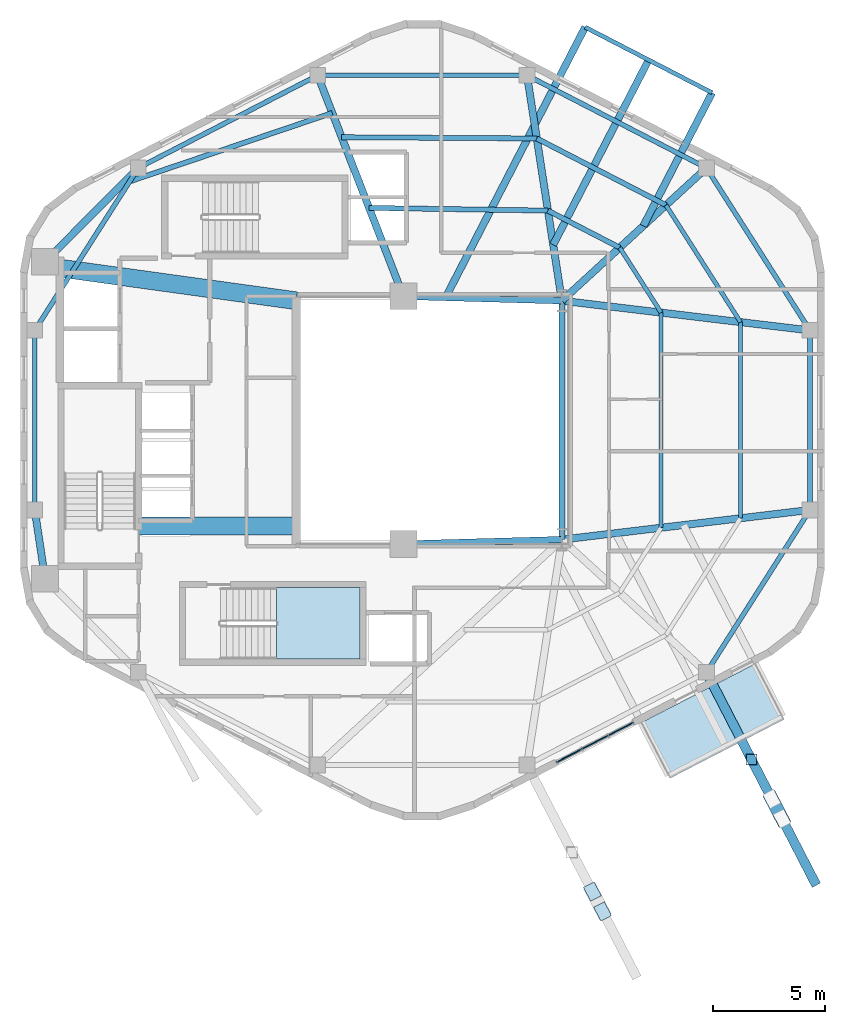
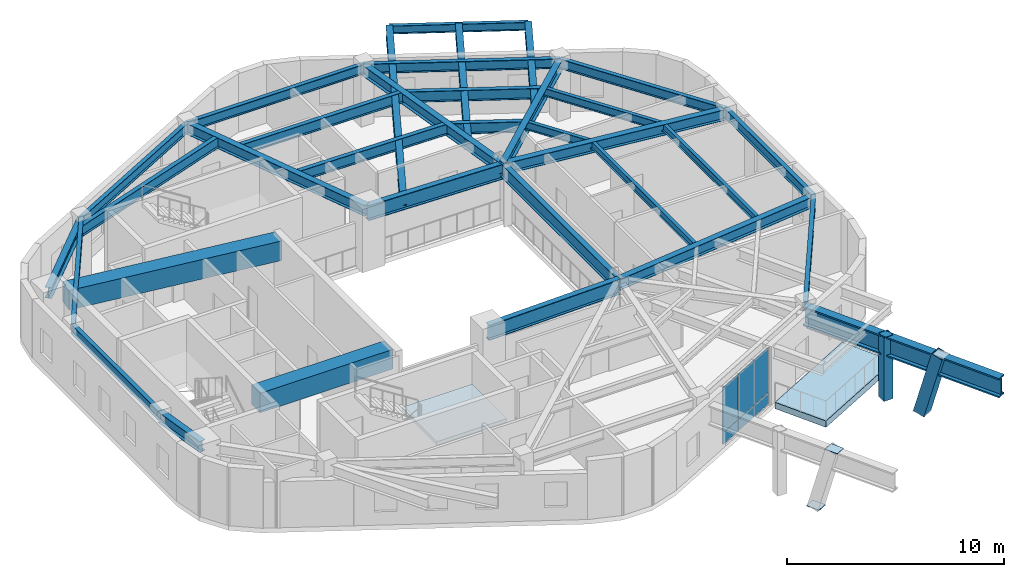
# One storey, part 5 of 10: 34 beams, 8 plates, 2 members, 2 slabs, 2 elements without a shape of their own.
"""IFC4 building model written with IfcOpenShell, lengths in metres."""

from ifc_helpers import new_model, si_unit, direction, frame, origin, origin_2d, place, context, subcontext, project, spatial, polyline, rectangle, hollow_rectangle, i_section, outline, extrude, material, layer, layer_set, material_profile, profile_set, type_object, element, aggregate, save


model = new_model("IFC4")

# Units and contexts
model_context = context("Model", 3, precision=1e-05, world=origin(), true_north=direction((0.0, 1.0)))
body_context = subcontext(model_context, "Body", "Model", "MODEL_VIEW")
ifc_project = project(units=[si_unit("LENGTHUNIT", "METRE"), si_unit("AREAUNIT", "SQUARE_METRE"), si_unit("VOLUMEUNIT", "CUBIC_METRE"), si_unit("PLANEANGLEUNIT", "RADIAN"), si_unit("MASSUNIT", "GRAM", prefix="KILO"), si_unit("THERMODYNAMICTEMPERATUREUNIT", "KELVIN"), si_unit("POWERUNIT", "WATT")], contexts=[model_context])

# Site, building, storey
site_placement = place(None, origin())
site = spatial("IfcSite", under=ifc_project, at=site_placement, CompositionType="ELEMENT")
building_placement = place(site_placement, origin())
building = spatial("IfcBuilding", under=site, at=building_placement, Name="Skarre Station Tower", CompositionType="ELEMENT")
storey_placement = place(building_placement, frame((0.0, 0.0, 224.14990234375)))
storey = spatial("IfcBuildingStorey", under=building, at=storey_placement, Name="L61", CompositionType="ELEMENT", Elevation=224.14990234375)

# Beams
ifc_material_1 = material(Name="Concrete C70/85", Category="concrete")
ifc_material_profile_1 = material_profile(ifc_material_1, rectangle(XDim=0.800048828125, YDim=1.10009765625, at=origin_2d()), Name="Concrete C70/85")
ifc_profile_set_1 = profile_set([ifc_material_profile_1], Name="Concrete C70/85")
beam_type_1 = type_object("IfcBeamType", Name="RC Core Coupling Lintel 800x1100", PredefinedType="LINTEL", material=ifc_profile_set_1)
beam_1_placement = place(storey_placement, frame((20.489990234375, 19.260009765625, 2.739990234375), z_axis=(1.0, 0.0, 0.0), x_axis=(0.0, 1.0, 0.0)))
element("IfcBeam", 1, at=beam_1_placement, inside=storey, type_object=beam_type_1, Name="L61 South Core Coupling Lintel", PredefinedType="LINTEL", context=body_context, shape_type="SweptSolid", body=[
    extrude(rectangle(XDim=0.800048828125, YDim=1.10009765625, at=origin_2d()), origin(), (0.0, 0.0, 1.0), 7.06005859375),
])
beam_2_placement = place(storey_placement, frame((17.050048828125, 30.800048828125, 2.739990234375), z_axis=(0.990599723633, -0.136792498109, 0.0), x_axis=(0.136792498109, 0.990599723633, 0.0)))
element("IfcBeam", 2, at=beam_2_placement, inside=storey, type_object=beam_type_1, Name="L61 North Core Coupling Lintel", PredefinedType="LINTEL", context=body_context, shape_type="SweptSolid", body=[
    extrude(rectangle(XDim=0.800048828125, YDim=1.10009765625, at=origin_2d()), origin(), (0.0, 0.0, 1.0), 10.599609375),
])
ifc_material_2 = material(Name="Steel ASTM A992 Grade 50", Category="steel")
ifc_material_profile_2 = material_profile(ifc_material_2, i_section(OverallWidth=0.323974609375, OverallDepth=0.611083984375, WebThickness=0.012939453125, FlangeThickness=0.01904296875, at=origin_2d()), Name="Steel ASTM A992 Grade 50")
ifc_profile_set_2 = profile_set([ifc_material_profile_2], Name="Steel ASTM A992 Grade 50")
beam_type_2 = type_object("IfcBeamType", Name="Steel Beam W24X104", PredefinedType="BEAM", material=ifc_profile_set_2)
beam_3_placement = place(storey_placement, frame((39.449951171875, 29.35009765625, 2.985107421875), z_axis=(0.736547671183, 0.676385635621, 0.0), x_axis=(-0.676385635621, 0.736547671183, 0.0)))
element("IfcBeam", 3, at=beam_3_placement, inside=storey, type_object=beam_type_2, Name="L61 Radial Floor Girder F0C1", PredefinedType="BEAM", context=body_context, shape_type="SweptSolid", body=[
    extrude(i_section(OverallWidth=0.323974609375, OverallDepth=0.611083984375, WebThickness=0.012939453125, FlangeThickness=0.01904296875, at=origin_2d()), origin(), (0.0, 0.0, 1.0), 8.793701171875),
])
beam_4_placement = place(storey_placement, frame((39.449951171875, 29.35009765625, 2.985107421875), z_axis=(-0.152789762931, 0.988258715288, 0.0), x_axis=(-0.988258715288, -0.152789762931, 0.0)))
element("IfcBeam", 4, at=beam_4_placement, inside=storey, type_object=beam_type_2, Name="L61 Radial Floor Girder F0C2", PredefinedType="BEAM", context=body_context, shape_type="SweptSolid", body=[
    extrude(i_section(OverallWidth=0.323974609375, OverallDepth=0.611083984375, WebThickness=0.012939453125, FlangeThickness=0.01904296875, at=origin_2d()), origin(), (0.0, 0.0, 1.0), 10.216796875),
])
beam_5_placement = place(storey_placement, frame((32.35009765625, 29.550048828125, 2.985107421875), z_axis=(-0.361651478681, 0.932313363611, 0.0), x_axis=(-0.932313363611, -0.361651478681, 0.0)))
element("IfcBeam", 5, at=beam_5_placement, inside=storey, type_object=beam_type_2, Name="L61 Radial Floor Girder F1C1", PredefinedType="BEAM", context=body_context, shape_type="SweptSolid", body=[
    extrude(i_section(OverallWidth=0.323974609375, OverallDepth=0.611083984375, WebThickness=0.012939453125, FlangeThickness=0.01904296875, at=origin_2d()), origin(), (0.0, 0.0, 1.0), 10.615478515625),
])
beam_6_placement = place(storey_placement, frame((16.300048828125, 31.10009765625, 2.985107421875), z_axis=(0.704979413242, 0.709227768002, 0.0), x_axis=(-0.709227768002, 0.704979413242, 0.0)))
element("IfcBeam", 6, at=beam_6_placement, inside=storey, type_object=beam_type_2, Name="L61 Radial Floor Girder F1C2", PredefinedType="BEAM", context=body_context, shape_type="SweptSolid", body=[
    extrude(i_section(OverallWidth=0.323974609375, OverallDepth=0.611083984375, WebThickness=0.012939453125, FlangeThickness=0.01904296875, at=origin_2d()), origin(), (0.0, 0.0, 1.0), 5.919189453125),
])
beam_7_placement = place(storey_placement, frame((16.300048828125, 16.89990234375, 2.985107421875), z_axis=(-0.148739188492, 0.988876460336, 0.0), x_axis=(-0.988876460336, -0.148739188492, 0.0)))
element("IfcBeam", 7, at=beam_7_placement, inside=storey, type_object=beam_type_2, Name="L61 Radial Floor Girder F2C2", PredefinedType="BEAM", context=body_context, shape_type="SweptSolid", body=[
    extrude(i_section(OverallWidth=0.323974609375, OverallDepth=0.611083984375, WebThickness=0.012939453125, FlangeThickness=0.01904296875, at=origin_2d()), origin(), (0.0, 0.0, 1.0), 3.11376953125),
])
for number, where, z_axis, x_axis, name in (
    (8, (39.449951171875, 18.64990234375, 2.985107421875), (0.99292393128, 0.118752122891, 0.0), (-0.118752122891, 0.99292393128, 0.0), "L61 Radial Floor Girder F5C1"),
    (9, (39.449951171875, 29.35009765625, 2.985107421875), (0.99292393128, -0.118752122891, 0.0), (0.118752122891, 0.99292393128, 0.0), "L61 Radial Floor Girder F5C2"),
):
    element("IfcBeam", number, at=place(storey_placement, frame(where, z_axis=z_axis, x_axis=x_axis)), inside=storey, type_object=beam_type_2, Name=name, PredefinedType="BEAM", context=body_context, shape_type="SweptSolid", body=[
        extrude(i_section(OverallWidth=0.323974609375, OverallDepth=0.611083984375, WebThickness=0.012939453125, FlangeThickness=0.01904296875, at=origin_2d()), origin(), (0.0, 0.0, 1.0), 11.192138671875),
    ])
beam_8_placement = place(storey_placement, frame((39.06201171875, 31.85791015625, 2.899169921875), z_axis=(0.458759065554, 0.888560701231, 0.0), x_axis=(-0.888560701231, 0.458759065554, 0.0)))
element("IfcBeam", 10, at=beam_8_placement, inside=storey, type_object=beam_type_2, Name="L61 TB-L62-F0 Center Outrigger Beam", PredefinedType="BEAM", context=body_context, shape_type="SweptSolid", body=[
    extrude(i_section(OverallWidth=0.323974609375, OverallDepth=0.611083984375, WebThickness=0.012939453125, FlangeThickness=0.01904296875, at=origin_2d()), origin(), (0.0, 0.0, 1.0), 9.316162109375),
])
beam_9_placement = place(storey_placement, frame((43.097900390625, 32.699951171875, 2.899169921875), z_axis=(0.45873550942, 0.88857286274, 0.0), x_axis=(-0.88857286274, 0.45873550942, 0.0)))
element("IfcBeam", 11, at=beam_9_placement, inside=storey, type_object=beam_type_2, Name="L61 TB-L62-F0 Outrigger Beam 1", PredefinedType="BEAM", context=body_context, shape_type="SweptSolid", body=[
    extrude(i_section(OverallWidth=0.323974609375, OverallDepth=0.611083984375, WebThickness=0.012939453125, FlangeThickness=0.01904296875, at=origin_2d()), origin(), (0.0, 0.0, 1.0), 6.71630859375),
])
beam_10_placement = place(storey_placement, frame((34.241943359375, 29.4970703125, 2.899169921875), z_axis=(0.458715947157, 0.8885829617, 0.0), x_axis=(-0.8885829617, 0.458715947157, 0.0)))
element("IfcBeam", 12, at=beam_10_placement, inside=storey, type_object=beam_type_2, Name="L61 TB-L62-F0 Outrigger Beam 2", PredefinedType="BEAM", context=body_context, shape_type="SweptSolid", body=[
    extrude(i_section(OverallWidth=0.323974609375, OverallDepth=0.611083984375, WebThickness=0.012939453125, FlangeThickness=0.01904296875, at=origin_2d()), origin(), (0.0, 0.0, 1.0), 13.625),
])
ifc_material_profile_3 = material_profile(ifc_material_2, i_section(OverallWidth=0.26806640625, OverallDepth=0.77001953125, WebThickness=0.01611328125, FlangeThickness=0.02490234375, at=origin_2d()), Name="Steel ASTM A992 Grade 50")
ifc_profile_set_3 = profile_set([ifc_material_profile_3], Name="Steel ASTM A992 Grade 50")
beam_type_3 = type_object("IfcBeamType", Name="Steel Beam W30X132", PredefinedType="BEAM", material=ifc_profile_set_3)
beam_11_placement = place(storey_placement, frame((39.449951171875, 18.64990234375, 2.905029296875), z_axis=(0.0, 1.0, 0.0), x_axis=(-1.0, 0.0, 0.0)))
element("IfcBeam", 13, at=beam_11_placement, inside=storey, type_object=beam_type_3, Name="L61 Atrium East Edge Girder", PredefinedType="BEAM", context=body_context, shape_type="SweptSolid", body=[
    extrude(i_section(OverallWidth=0.26806640625, OverallDepth=0.77001953125, WebThickness=0.01611328125, FlangeThickness=0.02490234375, at=origin_2d()), origin(), (0.0, 0.0, 1.0), 10.7001953125),
])
ifc_material_profile_4 = material_profile(ifc_material_2, i_section(OverallWidth=0.2919921875, OverallDepth=0.85888671875, WebThickness=0.01708984375, FlangeThickness=0.031005859375, at=origin_2d()), Name="Steel ASTM A992 Grade 50")
ifc_profile_set_4 = profile_set([ifc_material_profile_4], Name="Steel ASTM A992 Grade 50")
beam_type_4 = type_object("IfcBeamType", Name="Steel Beam W33X169", PredefinedType="BEAM", material=ifc_profile_set_4)
for number, where, z_axis, x_axis, name in (
    (14, (32.35009765625, 18.449951171875, 2.861083984375), (0.999603666405, 0.028151556095, 0.0), (-0.028151556095, 0.999603666405, 0.0), "L61 Atrium South Edge Girder"),
    (15, (32.35009765625, 29.550048828125, 2.861083984375), (0.999603666405, -0.028151556095, 0.0), (0.028151556095, 0.999603666405, 0.0), "L61 Atrium North Edge Girder"),
):
    element("IfcBeam", number, at=place(storey_placement, frame(where, z_axis=z_axis, x_axis=x_axis)), inside=storey, type_object=beam_type_4, Name=name, PredefinedType="BEAM", context=body_context, shape_type="SweptSolid", body=[
        extrude(i_section(OverallWidth=0.2919921875, OverallDepth=0.85888671875, WebThickness=0.01708984375, FlangeThickness=0.031005859375, at=origin_2d()), origin(), (0.0, 0.0, 1.0), 7.102783203125),
    ])
ifc_material_profile_5 = material_profile(ifc_material_2, i_section(OverallWidth=0.177978515625, OverallDepth=0.403076171875, WebThickness=0.008056640625, FlangeThickness=0.010986328125, at=origin_2d()), Name="Steel ASTM A992 Grade 50")
ifc_profile_set_5 = profile_set([ifc_material_profile_5], Name="Steel ASTM A992 Grade 50")
beam_type_5 = type_object("IfcBeamType", Name="Steel Joist W16X36", PredefinedType="JOIST", material=ifc_profile_set_5)
beam_12_placement = place(storey_placement, frame((43.89501953125, 19.181884765625, 3.088134765625), z_axis=(0.0, 1.0, 0.0), x_axis=(-1.0, 0.0, 0.0)))
element("IfcBeam", 16, at=beam_12_placement, inside=storey, type_object=beam_type_5, Name="L61 Auxiliary Composite Joist 15", PredefinedType="JOIST", context=body_context, shape_type="SweptSolid", body=[
    extrude(i_section(OverallWidth=0.177978515625, OverallDepth=0.403076171875, WebThickness=0.008056640625, FlangeThickness=0.010986328125, at=origin_2d()), origin(), (0.0, 0.0, 1.0), 9.63623046875),
])
beam_13_placement = place(storey_placement, frame((47.450927734375, 19.60693359375, 3.088134765625), z_axis=(0.0, 1.0, 0.0), x_axis=(-1.0, 0.0, 0.0)))
element("IfcBeam", 17, at=beam_13_placement, inside=storey, type_object=beam_type_5, Name="L61 Auxiliary Composite Joist 16", PredefinedType="JOIST", context=body_context, shape_type="SweptSolid", body=[
    extrude(i_section(OverallWidth=0.177978515625, OverallDepth=0.403076171875, WebThickness=0.008056640625, FlangeThickness=0.010986328125, at=origin_2d()), origin(), (0.0, 0.0, 1.0), 8.7861328125),
])
ifc_material_profile_6 = material_profile(ifc_material_2, i_section(OverallWidth=0.19091796875, OverallDepth=0.45703125, WebThickness=0.009033203125, FlangeThickness=0.013916015625, at=origin_2d()), Name="Steel ASTM A992 Grade 50")
ifc_profile_set_6 = profile_set([ifc_material_profile_6], Name="Steel ASTM A992 Grade 50")
beam_type_6 = type_object("IfcBeamType", Name="Steel Joist W18X50", PredefinedType="JOIST", material=ifc_profile_set_6)
beam_14_placement = place(storey_placement, frame((43.89501953125, 28.818115234375, 3.06201171875), z_axis=(-0.537209598798, 0.843448781468, 0.0), x_axis=(-0.843448781468, -0.537209598798, 0.0)))
element("IfcBeam", 18, at=beam_14_placement, inside=storey, type_object=beam_type_6, Name="L61 Auxiliary Composite Joist 17", PredefinedType="JOIST", context=body_context, shape_type="SweptSolid", body=[
    extrude(i_section(OverallWidth=0.19091796875, OverallDepth=0.45703125, WebThickness=0.009033203125, FlangeThickness=0.013916015625, at=origin_2d()), origin(), (0.0, 0.0, 1.0), 3.451171875),
])
beam_15_placement = place(storey_placement, frame((47.450927734375, 28.39306640625, 3.06201171875), z_axis=(-0.537259384828, 0.843417069672, 0.0), x_axis=(-0.843417069672, -0.537259384828, 0.0)))
element("IfcBeam", 19, at=beam_15_placement, inside=storey, type_object=beam_type_6, Name="L61 Auxiliary Composite Joist 18", PredefinedType="JOIST", context=body_context, shape_type="SweptSolid", body=[
    extrude(i_section(OverallWidth=0.19091796875, OverallDepth=0.45703125, WebThickness=0.009033203125, FlangeThickness=0.013916015625, at=origin_2d()), origin(), (0.0, 0.0, 1.0), 6.212890625),
])
beam_16_placement = place(storey_placement, frame((46.178955078125, 38.66796875, 2.97607421875), z_axis=(-0.888569497845, 0.458742027178, 0.0), x_axis=(-0.458742027178, -0.888569497845, 0.0)))
element("IfcBeam", 20, at=beam_16_placement, inside=storey, type_object=beam_type_6, Name="L61 TB-L62-F0 Rim Beam", PredefinedType="JOIST", context=body_context, shape_type="SweptSolid", body=[
    extrude(i_section(OverallWidth=0.19091796875, OverallDepth=0.45703125, WebThickness=0.009033203125, FlangeThickness=0.013916015625, at=origin_2d()), origin(), (0.0, 0.0, 1.0), 6.400146484375),
])
ifc_material_profile_7 = material_profile(ifc_material_2, i_section(OverallWidth=0.22802734375, OverallDepth=0.60791015625, WebThickness=0.010986328125, FlangeThickness=0.01708984375, at=origin_2d()), Name="Steel ASTM A992 Grade 50")
ifc_profile_set_7 = profile_set([ifc_material_profile_7], Name="Steel ASTM A992 Grade 50")
beam_type_7 = type_object("IfcBeamType", Name="Steel Joist W24X76", PredefinedType="JOIST", material=ifc_profile_set_7)
beam_17_placement = place(storey_placement, frame((42.041015625, 31.72900390625, 2.986083984375), z_axis=(-0.888562989562, 0.458754633308, 0.0), x_axis=(-0.458754633308, -0.888562989562, 0.0)))
element("IfcBeam", 21, at=beam_17_placement, inside=storey, type_object=beam_type_7, Name="L61 Secondary Floor Joist 1", PredefinedType="JOIST", context=body_context, shape_type="SweptSolid", body=[
    extrude(i_section(OverallWidth=0.22802734375, OverallDepth=0.60791015625, WebThickness=0.010986328125, FlangeThickness=0.01708984375, at=origin_2d()), origin(), (0.0, 0.0, 1.0), 3.618408203125),
])
beam_18_placement = place(storey_placement, frame((44.113037109375, 33.633056640625, 2.986083984375), z_axis=(-0.888610306875, 0.458662972689, 0.0), x_axis=(-0.458662972689, -0.888610306875, 0.0)))
element("IfcBeam", 22, at=beam_18_placement, inside=storey, type_object=beam_type_7, Name="L61 Secondary Floor Joist 2", PredefinedType="JOIST", context=body_context, shape_type="SweptSolid", body=[
    extrude(i_section(OverallWidth=0.22802734375, OverallDepth=0.60791015625, WebThickness=0.010986328125, FlangeThickness=0.01708984375, at=origin_2d()), origin(), (0.0, 0.0, 1.0), 6.512451171875),
])
beam_19_placement = place(storey_placement, frame((38.825927734375, 33.388916015625, 2.986083984375), z_axis=(-0.999887635467, 0.014990545042, 0.0), x_axis=(-0.014990545042, -0.999887635467, 0.0)))
element("IfcBeam", 23, at=beam_19_placement, inside=storey, type_object=beam_type_7, Name="L61 Secondary Floor Joist 3", PredefinedType="JOIST", context=body_context, shape_type="SweptSolid", body=[
    extrude(i_section(OverallWidth=0.22802734375, OverallDepth=0.60791015625, WebThickness=0.010986328125, FlangeThickness=0.01708984375, at=origin_2d()), origin(), (0.0, 0.0, 1.0), 8.012939453125),
])
beam_20_placement = place(storey_placement, frame((38.325927734375, 36.6201171875, 2.986083984375), z_axis=(-0.999979540932, 0.006396695854, 0.0), x_axis=(-0.006396695854, -0.999979540932, 0.0)))
element("IfcBeam", 24, at=beam_20_placement, inside=storey, type_object=beam_type_7, Name="L61 Secondary Floor Joist 4", PredefinedType="JOIST", context=body_context, shape_type="SweptSolid", body=[
    extrude(i_section(OverallWidth=0.22802734375, OverallDepth=0.60791015625, WebThickness=0.010986328125, FlangeThickness=0.01708984375, at=origin_2d()), origin(), (0.0, 0.0, 1.0), 8.740234375),
])
beam_21_placement = place(storey_placement, frame((29.1640625, 37.764892578125, 2.986083984375), z_axis=(-0.947236771085, -0.320534708736, 0.0), x_axis=(0.320534708736, -0.947236771085, 0.0)))
element("IfcBeam", 25, at=beam_21_placement, inside=storey, type_object=beam_type_7, Name="L61 Secondary Floor Joist 6", PredefinedType="JOIST", context=body_context, shape_type="SweptSolid", body=[
    extrude(i_section(OverallWidth=0.22802734375, OverallDepth=0.60791015625, WebThickness=0.010986328125, FlangeThickness=0.01708984375, at=origin_2d()), origin(), (0.0, 0.0, 1.0), 9.923828125),
])
ifc_material_profile_8 = material_profile(ifc_material_2, i_section(OverallWidth=0.214111328125, OverallDepth=0.549072265625, WebThickness=0.014892578125, FlangeThickness=0.02392578125, at=origin_2d()), Name="Steel ASTM A992 Grade 50")
ifc_profile_set_8 = profile_set([ifc_material_profile_8], Name="Steel ASTM A992 Grade 50")
beam_type_8 = type_object("IfcBeamType", Name="Steel Spandrel W21X93", PredefinedType="SPANDREL", material=ifc_profile_set_8)
beam_22_placement = place(storey_placement, frame((45.927001953125, 35.298095703125, 3.01611328125), z_axis=(-0.888610011727, 0.458663544505, 0.0), x_axis=(-0.458663544505, -0.888610011727, 0.0)))
element("IfcBeam", 26, at=beam_22_placement, inside=storey, type_object=beam_type_8, Name="L61 Facet Spandrel Beam 1", PredefinedType="SPANDREL", context=body_context, shape_type="SweptSolid", body=[
    extrude(i_section(OverallWidth=0.214111328125, OverallDepth=0.549072265625, WebThickness=0.014892578125, FlangeThickness=0.02392578125, at=origin_2d()), origin(), (0.0, 0.0, 1.0), 9.045654296875),
])
beam_23_placement = place(storey_placement, frame((37.888916015625, 39.447021484375, 3.01611328125), z_axis=(-1.0, 0.0, 0.0), x_axis=(0.0, -1.0, 0.0)))
element("IfcBeam", 27, at=beam_23_placement, inside=storey, type_object=beam_type_8, Name="L61 Facet Spandrel Beam 2", PredefinedType="SPANDREL", context=body_context, shape_type="SweptSolid", body=[
    extrude(i_section(OverallWidth=0.214111328125, OverallDepth=0.549072265625, WebThickness=0.014892578125, FlangeThickness=0.02392578125, at=origin_2d()), origin(), (0.0, 0.0, 1.0), 9.3779296875),
])
beam_24_placement = place(storey_placement, frame((28.510986328125, 39.447021484375, 3.01611328125), z_axis=(-0.888610011727, -0.458663544505, 0.0), x_axis=(0.458663544505, -0.888610011727, 0.0)))
element("IfcBeam", 28, at=beam_24_placement, inside=storey, type_object=beam_type_8, Name="L61 Facet Spandrel Beam 3", PredefinedType="SPANDREL", context=body_context, shape_type="SweptSolid", body=[
    extrude(i_section(OverallWidth=0.214111328125, OverallDepth=0.549072265625, WebThickness=0.014892578125, FlangeThickness=0.02392578125, at=origin_2d()), origin(), (0.0, 0.0, 1.0), 9.045654296875),
])
beam_25_placement = place(storey_placement, frame((20.472900390625, 35.298095703125, 3.01611328125), z_axis=(-0.537296523663, -0.843393410965, 0.0), x_axis=(0.843393410965, -0.537296523663, 0.0)))
element("IfcBeam", 29, at=beam_25_placement, inside=storey, type_object=beam_type_8, Name="L61 Facet Spandrel Beam 4", PredefinedType="SPANDREL", context=body_context, shape_type="SweptSolid", body=[
    extrude(i_section(OverallWidth=0.214111328125, OverallDepth=0.549072265625, WebThickness=0.014892578125, FlangeThickness=0.02392578125, at=origin_2d()), origin(), (0.0, 0.0, 1.0), 8.62841796875),
])
beam_26_placement = place(storey_placement, frame((15.8369140625, 28.02099609375, 3.01611328125), z_axis=(0.0, -1.0, 0.0), x_axis=(1.0, 0.0, 0.0)))
element("IfcBeam", 30, at=beam_26_placement, inside=storey, type_object=beam_type_8, Name="L61 Facet Spandrel Beam 5", PredefinedType="SPANDREL", context=body_context, shape_type="SweptSolid", body=[
    extrude(i_section(OverallWidth=0.214111328125, OverallDepth=0.549072265625, WebThickness=0.014892578125, FlangeThickness=0.02392578125, at=origin_2d()), origin(), (0.0, 0.0, 1.0), 8.0419921875),
])
beam_27_placement = place(storey_placement, frame((45.927001953125, 12.701904296875, 3.01611328125), z_axis=(0.537296523663, 0.843393410965, 0.0), x_axis=(-0.843393410965, 0.537296523663, 0.0)))
element("IfcBeam", 31, at=beam_27_placement, inside=storey, type_object=beam_type_8, Name="L61 Facet Spandrel Beam 10", PredefinedType="SPANDREL", context=body_context, shape_type="SweptSolid", body=[
    extrude(i_section(OverallWidth=0.214111328125, OverallDepth=0.549072265625, WebThickness=0.014892578125, FlangeThickness=0.02392578125, at=origin_2d()), origin(), (0.0, 0.0, 1.0), 8.62841796875),
])
beam_28_placement = place(storey_placement, frame((50.56298828125, 19.97900390625, 3.01611328125), z_axis=(0.0, 1.0, 0.0), x_axis=(-1.0, 0.0, 0.0)))
element("IfcBeam", 32, at=beam_28_placement, inside=storey, type_object=beam_type_8, Name="L61 Facet Spandrel Beam 11", PredefinedType="SPANDREL", context=body_context, shape_type="SweptSolid", body=[
    extrude(i_section(OverallWidth=0.214111328125, OverallDepth=0.549072265625, WebThickness=0.014892578125, FlangeThickness=0.02392578125, at=origin_2d()), origin(), (0.0, 0.0, 1.0), 8.0419921875),
])
beam_29_placement = place(storey_placement, frame((50.56298828125, 28.02099609375, 3.01611328125), z_axis=(-0.537296523663, 0.843393410965, 0.0), x_axis=(-0.843393410965, -0.537296523663, 0.0)))
element("IfcBeam", 33, at=beam_29_placement, inside=storey, type_object=beam_type_8, Name="L61 Facet Spandrel Beam 12", PredefinedType="SPANDREL", context=body_context, shape_type="SweptSolid", body=[
    extrude(i_section(OverallWidth=0.214111328125, OverallDepth=0.549072265625, WebThickness=0.014892578125, FlangeThickness=0.02392578125, at=origin_2d()), origin(), (0.0, 0.0, 1.0), 8.62841796875),
])
ifc_material_3 = material(Name="Steel ASTM A913 Grade 65", Category="steel")
ifc_material_profile_9 = material_profile(ifc_material_3, i_section(OverallWidth=0.424072265625, OverallDepth=1.092041015625, WebThickness=0.044921875, FlangeThickness=0.08203125, at=origin_2d()), Name="Steel ASTM A913 Grade 65")
ifc_profile_set_9 = profile_set([ifc_material_profile_9], Name="Steel ASTM A913 Grade 65")
beam_type_9 = type_object("IfcBeamType", Name="Steel Transfer Girder W40X593", PredefinedType="USERDEFINED", material=ifc_profile_set_9)
beam_30_placement = place(storey_placement, frame((45.927001953125, 12.701904296875, 2.583984375), z_axis=(0.458744347108, -0.88856830013, 0.0), x_axis=(0.88856830013, 0.458744347108, 0.0)))
element("IfcBeam", 34, at=beam_30_placement, inside=storey, type_object=beam_type_9, Name="L61 SB-5 Exoskeleton Tier-2 Transfer Girder S2", ObjectType="TRANSFER_GIRDER", PredefinedType="USERDEFINED", context=body_context, shape_type="SweptSolid", body=[
    extrude(i_section(OverallWidth=0.424072265625, OverallDepth=1.092041015625, WebThickness=0.044921875, FlangeThickness=0.08203125, at=origin_2d()), origin(), (0.0, 0.0, 1.0), 10.7294921875),
])

# Members
ifc_material_4 = material(Name="Steel ASTM A501 Grade B", Category="steel")
ifc_material_profile_10 = material_profile(ifc_material_4, hollow_rectangle(XDim=0.5, YDim=0.5, WallThickness=0.02490234375, at=origin_2d()), Name="Steel ASTM A501 Grade B")
ifc_profile_set_10 = profile_set([ifc_material_profile_10], Name="Steel ASTM A501 Grade B")
member_type_1 = type_object("IfcMemberType", Name="Steel Truss Strut HSS500X500X25", PredefinedType="STRUT", material=ifc_profile_set_10)
member_1_placement = place(storey_placement, frame((47.945068359375, 8.7919921875, -0.43994140625), z_axis=(0.0, 0.0, 1.0), x_axis=(1.0, 0.0, 0.0)))
element("IfcMember", 35, at=member_1_placement, inside=storey, type_object=member_type_1, Name="L61 SB-5 Exoskeleton Post Tier 2 S2", PredefinedType="STRUT", context=body_context, shape_type="SweptSolid", body=[
    extrude(hollow_rectangle(XDim=0.5, YDim=0.5, WallThickness=0.02490234375, at=origin_2d()), origin(), (0.0, 0.0, 1.0), 3.570068359375),
])
ifc_material_profile_11 = material_profile(ifc_material_4, hollow_rectangle(XDim=0.60009765625, YDim=0.60009765625, WallThickness=0.028076171875, at=origin_2d()), Name="Steel ASTM A501 Grade B")
ifc_profile_set_11 = profile_set([ifc_material_profile_11], Name="Steel ASTM A501 Grade B")
member_type_2 = type_object("IfcMemberType", Name="Steel Truss Strut HSS600X600X28", PredefinedType="STRUT", material=ifc_profile_set_11)
member_2_placement = place(storey_placement, frame((48.85400390625, 7.032958984375, -0.43994140625), z_axis=(0.123536498026, -0.239763533748, 0.962939344684), x_axis=(0.888941422314, 0.45802090312, 0.0)))
element("IfcMember", 36, at=member_2_placement, inside=storey, type_object=member_type_2, Name="L61 SB-5 Exoskeleton Raking Strut Tier 2 S2", PredefinedType="STRUT", context=body_context, shape_type="SweptSolid", body=[
    extrude(hollow_rectangle(XDim=0.60009765625, YDim=0.60009765625, WallThickness=0.028076171875, at=origin_2d()), origin(), (0.0, 0.0, 1.0), 3.70751953125),
])

# Curtain wall, plates
ifc_material_5 = material(Name="Thermally Broken Bronze-Anodized Aluminium & Triple Low-E Glass", Category="aluminium")
ifc_layer_1 = layer(ifc_material_5, 0.18994140625, Name="Thermally Broken Bronze-Anodized Aluminium & Triple Low-E Glass")
ifc_layer_set_1 = layer_set([ifc_layer_1], Name="Thermally Broken Bronze-Anodized Aluminium & Triple Low-E Glass")
curtain_wall_type = type_object("IfcCurtainWallType", Name="Sky-Garden Setback Conservatory Curtain Wall", PredefinedType="NOTDEFINED", material=ifc_layer_set_1)
curtain_wall_placement = place(storey_placement, origin())
curtain_wall = element("IfcCurtainWall", 37, at=curtain_wall_placement, inside=storey, type_object=curtain_wall_type, Name="L61 Facet 4 Conservatory Curtain Wall", PredefinedType="NOTDEFINED")
ifc_material_6 = material(Name="Insulated Bronze Anodized Aluminium Spandrel", Category="aluminium")
ifc_layer_2 = layer(ifc_material_6, 0.052001953125, Name="Insulated Bronze Anodized Aluminium Spandrel")
ifc_layer_set_2 = layer_set([ifc_layer_2], Name="Insulated Bronze Anodized Aluminium Spandrel")
plate_type_1 = type_object("IfcPlateType", Name="Bronze Insulated Spandrel Sheet Panel 52", PredefinedType="SHEET", material=ifc_layer_set_2)
plate_1_placement = place(storey_placement, frame((42.090087890625, 10.1650390625, 0.05224609375), z_axis=(0.0, 0.0, 1.0), x_axis=(-0.88848110948, -0.458913192332, 0.0)))
plate_1 = element("IfcPlate", 38, at=plate_1_placement, type_object=plate_type_1, Name="L61 Facet 4 Conservatory Curtain Wall Spandrel Panel 1-1", PredefinedType="SHEET", context=body_context, shape_type="SweptSolid", body=[
    extrude(rectangle(XDim=1.282958984375, YDim=0.052001953125, at=origin_2d()), origin(), (0.0, 0.0, 1.0), 0.635986328125),
])
plate_2_placement = place(storey_placement, frame((40.929931640625, 9.56591796875, 0.05224609375), z_axis=(0.0, 0.0, 1.0), x_axis=(-0.88848110948, -0.458913192332, 0.0)))
plate_2 = element("IfcPlate", 39, at=plate_2_placement, type_object=plate_type_1, Name="L61 Facet 4 Conservatory Curtain Wall Spandrel Panel 2-1", PredefinedType="SHEET", context=body_context, shape_type="SweptSolid", body=[
    extrude(rectangle(XDim=1.282958984375, YDim=0.052001953125, at=origin_2d()), origin(), (0.0, 0.0, 1.0), 0.635986328125),
])
plate_3_placement = place(storey_placement, frame((39.76904296875, 8.966064453125, 0.05224609375), z_axis=(0.0, 0.0, 1.0), x_axis=(-0.88848110948, -0.458913192332, 0.0)))
plate_3 = element("IfcPlate", 40, at=plate_3_placement, type_object=plate_type_1, Name="L61 Facet 4 Conservatory Curtain Wall Spandrel Panel 3-1", PredefinedType="SHEET", context=body_context, shape_type="SweptSolid", body=[
    extrude(rectangle(XDim=1.282958984375, YDim=0.052001953125, at=origin_2d()), origin(), (0.0, 0.0, 1.0), 0.635986328125),
])

# Plates
ifc_material_7 = material(Name="Steel ASTM A572 Grade 50", Category="steel")
ifc_layer_3 = layer(ifc_material_7, 0.031982421875, Name="Steel ASTM A572 Grade 50")
ifc_layer_set_3 = layer_set([ifc_layer_3], Name="Steel ASTM A572 Grade 50")
plate_type_2 = type_object("IfcPlateType", Name="Exoskeleton Strut Cap Plate 700x540x32", PredefinedType="USERDEFINED", material=ifc_layer_set_3)
for number, where, z_axis, x_axis, name in (
    (41, (40.81591796875, 2.884033203125, -0.44580078125), (0.0, 0.0, 1.0), (0.458711590553, -0.88858521071, 0.0), "L61 SB-5 Exoskeleton Tier-2 Base Gusset S1"),
    (42, (41.27392578125, 1.9951171875, 3.10400390625), (0.0, 0.0, 1.0), (0.458711590553, -0.88858521071, 0.0), "L61 SB-5 Exoskeleton Tier-2 Head Gusset S1"),
):
    element("IfcPlate", number, at=place(storey_placement, frame(where, z_axis=z_axis, x_axis=x_axis)), inside=storey, type_object=plate_type_2, Name=name, ObjectType="STIFFENER_PLATE", PredefinedType="USERDEFINED", context=body_context, shape_type="SweptSolid", body=[
        extrude(rectangle(XDim=0.699951171875, YDim=0.5400390625, at=origin_2d()), origin(), (0.0, 0.0, 1.0), 0.031982421875),
    ])

# Stair, slab
ifc_material_8 = material(Name="Concrete C40/50", Category="concrete")
stair_type = type_object("IfcStairType", Name="Reinforced Concrete Exit Stair ST-2", PredefinedType="HALF_TURN_STAIR", material=ifc_material_8)
stair_placement = place(storey_placement, origin())
stair = element("IfcStair", 43, at=stair_placement, inside=storey, type_object=stair_type, Name="L61 Core Exit Stair ST-2", PredefinedType="HALF_TURN_STAIR")
ifc_layer_4 = layer(ifc_material_8, 0.219970703125, Name="Concrete C40/50")
ifc_layer_set_4 = layer_set([ifc_layer_4], Name="Concrete C40/50")
slab_type_1 = type_object("IfcSlabType", Name="Reinforced Concrete Stair & Ramp Landing 220", PredefinedType="LANDING", material=ifc_layer_set_4)
slab_1_placement = place(storey_placement, frame((0.0, 0.0, 1.5751953125)))
slab_1 = element("IfcSlab", 44, at=slab_1_placement, type_object=slab_type_1, Name="ST-2 landing 1", PredefinedType="LANDING", context=body_context, shape_type="SweptSolid", body=[
    extrude(outline(polyline([(26.669921875, 13.300048828125), (30.39990234375, 13.300048828125), (30.39990234375, 16.5), (26.669921875, 16.5), (26.669921875, 13.300048828125)])), origin(), (0.0, 0.0, 1.0), 0.199951171875),
])
aggregate(stair, [slab_1])

# Slab
ifc_material_9 = material(Name="Concrete C50/60", Category="concrete")
ifc_layer_5 = layer(ifc_material_9, 0.419921875, Name="Concrete C50/60")
ifc_layer_set_5 = layer_set([ifc_layer_5], Name="Concrete C50/60")
slab_type_2 = type_object("IfcSlabType", Name="Sky-Garden & Lookout Terrace Slab 360", PredefinedType="FLOOR", material=ifc_layer_set_5)
slab_2_placement = place(storey_placement, frame((0.0, 0.0, -0.35986328125)))
element("IfcSlab", 45, at=slab_2_placement, inside=storey, type_object=slab_type_2, Name="L61 SG-3 Planted Sky-Garden Terrace Slab", PredefinedType="FLOOR", context=body_context, shape_type="SweptSolid", body=[
    extrude(outline(polyline([(48.10595703125, 13.083984375), (43.014892578125, 10.4560546875), (44.294921875, 7.97705078125), (49.385986328125, 10.60498046875), (48.10595703125, 13.083984375)])), origin(), (0.0, 0.0, 1.0), 0.35986328125),
])

# Plate
ifc_material_10 = material(Name="Low-Iron Triple Insulating Glass Unit", Category="glass")
ifc_layer_6 = layer(ifc_material_10, 0.0439453125, Name="Low-Iron Triple Insulating Glass Unit")
ifc_layer_set_6 = layer_set([ifc_layer_6], Name="Low-Iron Triple Insulating Glass Unit")
plate_type_3 = type_object("IfcPlateType", Name="Triple-Glazed Vision Curtain Panel 44", PredefinedType="CURTAIN_PANEL", material=ifc_layer_set_6)
plate_4_placement = place(storey_placement, frame((42.090087890625, 10.1650390625, 0.712158203125), z_axis=(0.0, 0.0, 1.0), x_axis=(-0.88848110948, -0.458913192332, 0.0)))
plate_4 = element("IfcPlate", 46, at=plate_4_placement, type_object=plate_type_3, Name="L61 Facet 4 Conservatory Curtain Wall Vision Panel 1-2", PredefinedType="CURTAIN_PANEL", context=body_context, shape_type="SweptSolid", body=[
    extrude(rectangle(XDim=1.282958984375, YDim=0.0439453125, at=origin_2d()), origin(), (0.0, 0.0, 1.0), 2.52587890625),
])

plate_5_placement = place(storey_placement, frame((40.929931640625, 9.56591796875, 0.712158203125), z_axis=(0.0, 0.0, 1.0), x_axis=(-0.88848110948, -0.458913192332, 0.0)))
plate_5 = element("IfcPlate", 47, at=plate_5_placement, type_object=plate_type_3, Name="L61 Facet 4 Conservatory Curtain Wall Vision Panel 2-2", PredefinedType="CURTAIN_PANEL", context=body_context, shape_type="SweptSolid", body=[
    extrude(rectangle(XDim=1.282958984375, YDim=0.0439453125, at=origin_2d()), origin(), (0.0, 0.0, 1.0), 2.52587890625),
])

plate_6_placement = place(storey_placement, frame((39.76904296875, 8.966064453125, 0.712158203125), z_axis=(0.0, 0.0, 1.0), x_axis=(-0.88848110948, -0.458913192332, 0.0)))
plate_6 = element("IfcPlate", 48, at=plate_6_placement, type_object=plate_type_3, Name="L61 Facet 4 Conservatory Curtain Wall Vision Panel 3-2", PredefinedType="CURTAIN_PANEL", context=body_context, shape_type="SweptSolid", body=[
    extrude(rectangle(XDim=1.282958984375, YDim=0.0439453125, at=origin_2d()), origin(), (0.0, 0.0, 1.0), 2.52587890625),
])

aggregate(curtain_wall, [plate_1, plate_4, plate_2, plate_5, plate_3, plate_6])

save(model, "model.ifc")
